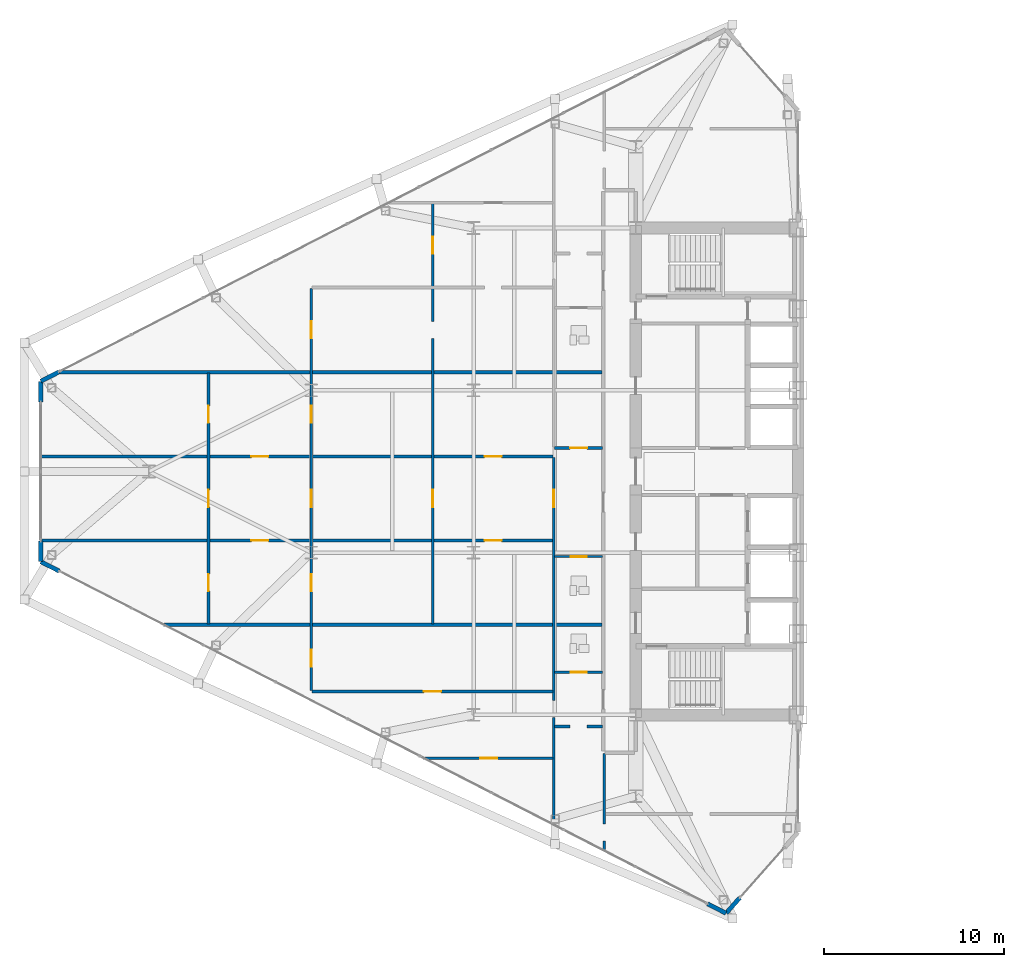
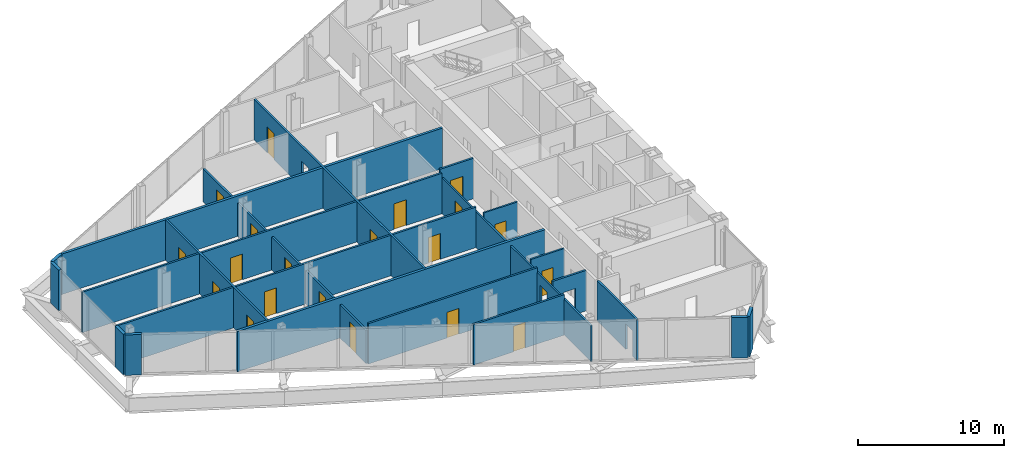
# One storey, part 19 of 28: 21 walls, 20 doors, 24 openings.
"""IFC4 building model written with IfcOpenShell, lengths in metres."""

from ifc_helpers import new_model, si_unit, direction, frame, frame_2d, origin, place, context, subcontext, project, spatial, rectangle, extrude, source, transform, mapped, material, layer, layer_set, type_object, type_shapes, element, fill, save


model = new_model("IFC4")

# Units and contexts
model_context = context("Model", 3, precision=1e-05, world=origin(), true_north=direction((0.0, 1.0)))
body_context = subcontext(model_context, "Body", "Model", "MODEL_VIEW")
ifc_project = project(units=[si_unit("LENGTHUNIT", "METRE"), si_unit("AREAUNIT", "SQUARE_METRE"), si_unit("VOLUMEUNIT", "CUBIC_METRE"), si_unit("PLANEANGLEUNIT", "RADIAN"), si_unit("MASSUNIT", "GRAM", prefix="KILO")], contexts=[model_context])

# Site, building, storey
site_placement = place(None, origin())
site = spatial("IfcSite", under=ifc_project, at=site_placement, CompositionType="ELEMENT")
building_placement = place(site_placement, origin())
building = spatial("IfcBuilding", under=site, at=building_placement, Name="Seokmaru Belvedere", CompositionType="ELEMENT")
storey_placement = place(building_placement, frame((0.0, 0.0, 110.39990234375)))
storey = spatial("IfcBuildingStorey", under=building, at=storey_placement, Name="L29", CompositionType="ELEMENT", Elevation=110.39990234375)

# Wall, opening, door
ifc_material_1 = material(Name="Fire-Rated Gypsum Shaftwall")
ifc_layer_1 = layer(ifc_material_1, 0.14990234375)
ifc_layer_set_1 = layer_set([ifc_layer_1], Name="Fire-Rated Gypsum Shaftwall")
wall_type_1 = type_object("IfcWallType", Name="Apartment Fire-Acoustic Room Partition 150", PredefinedType="PARTITIONING", material=ifc_layer_set_1)
wall_1_placement = place(storey_placement, frame((-48.294921875, -15.89990234375, 0.0), z_axis=(0.0, 0.0, 1.0), x_axis=(1.0, 0.0, 0.0)))
wall_1 = element("IfcWall", 1, at=wall_1_placement, inside=storey, type_object=wall_type_1, Name="L29 Interior Partition 003", PredefinedType="PARTITIONING", context=body_context, shape_type="SweptSolid", body=[
    extrude(rectangle(XDim=7.19482421875, YDim=0.14990234375, at=frame_2d((3.597412109375, 0.0))), origin(), (0.0, 0.0, 1.0), 3.380126953125),
])
opening_1_placement = place(wall_1_placement, frame((3.1650390625, 0.0, 0.0)))
opening_1 = element("IfcOpeningElement", 2, at=opening_1_placement, cuts=wall_1, Name="Opening D05", PredefinedType="OPENING", context=body_context, shape_type="SweptSolid", body=[
    extrude(rectangle(XDim=0.949951171875, YDim=2.14990234375, at=frame_2d((0.47509765625, 1.074951171875))), frame((0.0, 0.0849609375, 0.0), z_axis=(0.0, -1.0, 0.0), x_axis=(1.0, 0.0, 0.0)), (0.0, 0.0, 1.0), 0.169921875),
])
ifc_material_2 = material(Name="Engineered White Oak Timber", Category="wood")
door_type_1 = type_object("IfcDoorType", Name="Apartment Interior Fire-Rated Oak Door 950x2150", OperationType="NOTDEFINED", PredefinedType="DOOR", material=ifc_material_2)
shared_shape_1 = source(origin(), body_context, "Body", "SweptSolid", [
    extrude(rectangle(XDim=0.949951171875, YDim=2.14990234375, at=frame_2d((0.47509765625, 1.074951171875))), frame((0.0, 0.02490234375, 0.0), z_axis=(0.0, -1.0, 0.0), x_axis=(1.0, 0.0, 0.0)), (0.0, 0.0, 1.0), 0.050048828125),
])
type_shapes(door_type_1, [shared_shape_1])
door_1_placement = place(opening_1_placement, origin())
door_1 = element("IfcDoor", 3, at=door_1_placement, inside=storey, type_object=door_type_1, Name="L29 Interior Door 005", OperationType="SINGLE_SWING_LEFT", OverallHeight=2.14990234375, OverallWidth=0.949951171875, PredefinedType="DOOR", context=body_context, shape_type="MappedRepresentation", body=[
    mapped(shared_shape_1, transform((0.0, 0.0, 0.0), scale=1.0)),
])
fill(opening_1, door_1)

# Wall, opening
wall_2_placement = place(storey_placement, frame((-41.0, -14.139892578125, 0.0), z_axis=(0.0, 0.0, 1.0), x_axis=(1.0, 0.0, 0.0)))
wall_2 = element("IfcWall", 4, at=wall_2_placement, inside=storey, type_object=wall_type_1, Name="L29 Interior Partition 007", PredefinedType="PARTITIONING", context=body_context, shape_type="SweptSolid", body=[
    extrude(rectangle(XDim=2.64990234375, YDim=0.14990234375, at=frame_2d((1.324951171875, 0.0))), origin(), (0.0, 0.0, 1.0), 3.380126953125),
])
opening_2_placement = place(wall_2_placement, frame((0.85009765625, 0.0, 0.0)))
element("IfcOpeningElement", 5, at=opening_2_placement, cuts=wall_2, Name="L29 Cased Opening 003", PredefinedType="OPENING", context=body_context, shape_type="SweptSolid", body=[
    extrude(rectangle(XDim=0.949951171875, YDim=2.14990234375, at=frame_2d((0.47509765625, 1.074951171875))), frame((0.0, 0.0849609375, 0.0), z_axis=(0.0, -1.0, 0.0), x_axis=(1.0, 0.0, 0.0)), (0.0, 0.0, 1.0), 0.169921875),
])

# Wall, opening, door
wall_3_placement = place(storey_placement, frame((-54.449951171875, -12.199951171875, 0.0), z_axis=(0.0, 0.0, 1.0), x_axis=(1.0, 0.0, 0.0)))
wall_3 = element("IfcWall", 6, at=wall_3_placement, inside=storey, type_object=wall_type_1, Name="L29 Interior Partition 009", PredefinedType="PARTITIONING", context=body_context, shape_type="SweptSolid", body=[
    extrude(rectangle(XDim=13.349853515625, YDim=0.14990234375, at=frame_2d((6.6748046875, 0.0))), origin(), (0.0, 0.0, 1.0), 3.380126953125),
])
opening_3_placement = place(wall_3_placement, frame((6.199951171875, 0.0, 0.0)))
opening_3 = element("IfcOpeningElement", 7, at=opening_3_placement, cuts=wall_3, Name="Opening D05", PredefinedType="OPENING", context=body_context, shape_type="SweptSolid", body=[
    extrude(rectangle(XDim=0.949951171875, YDim=2.14990234375, at=frame_2d((0.47509765625, 1.074951171875))), frame((0.0, 0.0849609375, 0.0), z_axis=(0.0, -1.0, 0.0), x_axis=(1.0, 0.0, 0.0)), (0.0, 0.0, 1.0), 0.169921875),
])
door_2_placement = place(opening_3_placement, origin())
door_2 = element("IfcDoor", 8, at=door_2_placement, inside=storey, type_object=door_type_1, Name="L29 Interior Door 006", OperationType="SINGLE_SWING_RIGHT", OverallHeight=2.14990234375, OverallWidth=0.949951171875, PredefinedType="DOOR", context=body_context, shape_type="MappedRepresentation", body=[
    mapped(shared_shape_1, transform((0.0, 0.0, 0.0), scale=1.0)),
])
fill(opening_3, door_2)

# Wall, openings, doors
wall_4_placement = place(storey_placement, frame((-69.534912109375, -3.830078125, 0.0), z_axis=(0.0, 0.0, 1.0), x_axis=(1.0, 0.0, 0.0)))
wall_4 = element("IfcWall", 9, at=wall_4_placement, inside=storey, type_object=wall_type_1, Name="L29 Interior Partition 016", PredefinedType="PARTITIONING", context=body_context, shape_type="SweptSolid", body=[
    extrude(rectangle(XDim=28.434814453125, YDim=0.14990234375, at=frame_2d((14.21728515625, 0.0))), origin(), (0.0, 0.0, 1.0), 3.380126953125),
])
opening_4_placement = place(wall_4_placement, frame((24.6474609375, 0.0, 0.0)))
opening_4 = element("IfcOpeningElement", 10, at=opening_4_placement, cuts=wall_4, Name="Opening D05", PredefinedType="OPENING", context=body_context, shape_type="SweptSolid", body=[
    extrude(rectangle(XDim=0.949951171875, YDim=2.14990234375, at=frame_2d((0.47509765625, 1.074951171875))), frame((0.0, 0.0849609375, 0.0), z_axis=(0.0, -1.0, 0.0), x_axis=(1.0, 0.0, 0.0)), (0.0, 0.0, 1.0), 0.169921875),
])
opening_5_placement = place(wall_4_placement, frame((11.7099609375, 0.0, 0.0)))
opening_5 = element("IfcOpeningElement", 11, at=opening_5_placement, cuts=wall_4, Name="Opening D05", PredefinedType="OPENING", context=body_context, shape_type="SweptSolid", body=[
    extrude(rectangle(XDim=0.949951171875, YDim=2.14990234375, at=frame_2d((0.47509765625, 1.074951171875))), frame((0.0, 0.0849609375, 0.0), z_axis=(0.0, -1.0, 0.0), x_axis=(1.0, 0.0, 0.0)), (0.0, 0.0, 1.0), 0.169921875),
])
door_3_placement = place(opening_4_placement, origin())
door_3 = element("IfcDoor", 12, at=door_3_placement, inside=storey, type_object=door_type_1, Name="L29 Interior Door 014", OperationType="SINGLE_SWING_LEFT", OverallHeight=2.14990234375, OverallWidth=0.949951171875, PredefinedType="DOOR", context=body_context, shape_type="MappedRepresentation", body=[
    mapped(shared_shape_1, transform((0.0, 0.0, 0.0), scale=1.0)),
])
fill(opening_4, door_3)
door_4_placement = place(opening_5_placement, origin())
door_4 = element("IfcDoor", 13, at=door_4_placement, inside=storey, type_object=door_type_1, Name="L29 Interior Door 018", OperationType="SINGLE_SWING_LEFT", OverallHeight=2.14990234375, OverallWidth=0.949951171875, PredefinedType="DOOR", context=body_context, shape_type="MappedRepresentation", body=[
    mapped(shared_shape_1, transform((0.0, 0.0, 0.0), scale=1.0)),
])
fill(opening_5, door_4)

wall_5_placement = place(storey_placement, frame((-69.534912109375, 0.830078125, 0.0), z_axis=(0.0, 0.0, 1.0), x_axis=(1.0, 0.0, 0.0)))
wall_5 = element("IfcWall", 14, at=wall_5_placement, inside=storey, type_object=wall_type_1, Name="L29 Interior Partition 019", PredefinedType="PARTITIONING", context=body_context, shape_type="SweptSolid", body=[
    extrude(rectangle(XDim=28.434814453125, YDim=0.14990234375, at=frame_2d((14.21728515625, 0.0))), origin(), (0.0, 0.0, 1.0), 3.380126953125),
])
opening_6_placement = place(wall_5_placement, frame((24.6474609375, 0.0, 0.0)))
opening_6 = element("IfcOpeningElement", 15, at=opening_6_placement, cuts=wall_5, Name="Opening D05", PredefinedType="OPENING", context=body_context, shape_type="SweptSolid", body=[
    extrude(rectangle(XDim=0.949951171875, YDim=2.14990234375, at=frame_2d((0.47509765625, 1.074951171875))), frame((0.0, 0.0849609375, 0.0), z_axis=(0.0, -1.0, 0.0), x_axis=(1.0, 0.0, 0.0)), (0.0, 0.0, 1.0), 0.169921875),
])
opening_7_placement = place(wall_5_placement, frame((11.7099609375, 0.0, 0.0)))
opening_7 = element("IfcOpeningElement", 16, at=opening_7_placement, cuts=wall_5, Name="Opening D05", PredefinedType="OPENING", context=body_context, shape_type="SweptSolid", body=[
    extrude(rectangle(XDim=0.949951171875, YDim=2.14990234375, at=frame_2d((0.47509765625, 1.074951171875))), frame((0.0, 0.0849609375, 0.0), z_axis=(0.0, -1.0, 0.0), x_axis=(1.0, 0.0, 0.0)), (0.0, 0.0, 1.0), 0.169921875),
])
door_5_placement = place(opening_6_placement, origin())
door_5 = element("IfcDoor", 17, at=door_5_placement, inside=storey, type_object=door_type_1, Name="L29 Interior Door 016", OperationType="SINGLE_SWING_RIGHT", OverallHeight=2.14990234375, OverallWidth=0.949951171875, PredefinedType="DOOR", context=body_context, shape_type="MappedRepresentation", body=[
    mapped(shared_shape_1, transform((0.0, 0.0, 0.0), scale=1.0)),
])
fill(opening_6, door_5)
door_6_placement = place(opening_7_placement, origin())
door_6 = element("IfcDoor", 18, at=door_6_placement, inside=storey, type_object=door_type_1, Name="L29 Interior Door 021", OperationType="SINGLE_SWING_LEFT", OverallHeight=2.14990234375, OverallWidth=0.949951171875, PredefinedType="DOOR", context=body_context, shape_type="MappedRepresentation", body=[
    mapped(shared_shape_1, transform((0.0, 0.0, 0.0), scale=1.0)),
])
fill(opening_7, door_6)

# Wall, opening, door
wall_6_placement = place(storey_placement, frame((-41.0, 1.300048828125, 0.0), z_axis=(0.0, 0.0, 1.0), x_axis=(1.0, 0.0, 0.0)))
wall_6 = element("IfcWall", 19, at=wall_6_placement, inside=storey, type_object=wall_type_1, Name="L29 Interior Partition 020", PredefinedType="PARTITIONING", context=body_context, shape_type="SweptSolid", body=[
    extrude(rectangle(XDim=2.64990234375, YDim=0.14990234375, at=frame_2d((1.324951171875, 0.0))), origin(), (0.0, 0.0, 1.0), 3.380126953125),
])
opening_8_placement = place(wall_6_placement, frame((0.85009765625, 0.0, 0.0)))
opening_8 = element("IfcOpeningElement", 20, at=opening_8_placement, cuts=wall_6, Name="Opening D05", PredefinedType="OPENING", context=body_context, shape_type="SweptSolid", body=[
    extrude(rectangle(XDim=0.949951171875, YDim=2.14990234375, at=frame_2d((0.47509765625, 1.074951171875))), frame((0.0, 0.0849609375, 0.0), z_axis=(0.0, -1.0, 0.0), x_axis=(1.0, 0.0, 0.0)), (0.0, 0.0, 1.0), 0.169921875),
])
door_7_placement = place(opening_8_placement, origin())
door_7 = element("IfcDoor", 21, at=door_7_placement, inside=storey, type_object=door_type_1, Name="L29 Interior Door 012", OperationType="SINGLE_SWING_LEFT", OverallHeight=2.14990234375, OverallWidth=0.949951171875, PredefinedType="DOOR", context=body_context, shape_type="MappedRepresentation", body=[
    mapped(shared_shape_1, transform((0.0, 0.0, 0.0), scale=1.0)),
])
fill(opening_8, door_7)

# Wall, openings, doors
wall_7_placement = place(storey_placement, frame((-60.199951171875, -8.449951171875, 0.0), z_axis=(0.0, 0.0, 1.0), x_axis=(0.0, 1.0, 0.0)))
wall_7 = element("IfcWall", 22, at=wall_7_placement, inside=storey, type_object=wall_type_1, Name="L29 Interior Partition 037", PredefinedType="PARTITIONING", context=body_context, shape_type="SweptSolid", body=[
    extrude(rectangle(XDim=13.89990234375, YDim=0.14990234375, at=frame_2d((6.949951171875, 0.0))), origin(), (0.0, 0.0, 1.0), 3.380126953125),
])
opening_9_placement = place(wall_7_placement, frame((1.808349609375, 0.0, 0.0)))
opening_9 = element("IfcOpeningElement", 23, at=opening_9_placement, cuts=wall_7, Name="Opening D05", PredefinedType="OPENING", context=body_context, shape_type="SweptSolid", body=[
    extrude(rectangle(XDim=0.949951171875, YDim=2.14990234375, at=frame_2d((0.47509765625, 1.074951171875))), frame((0.0, 0.0849609375, 0.0), z_axis=(0.0, -1.0, 0.0), x_axis=(1.0, 0.0, 0.0)), (0.0, 0.0, 1.0), 0.169921875),
])
opening_10_placement = place(wall_7_placement, frame((6.47509765625, 0.0, 0.0)))
opening_10 = element("IfcOpeningElement", 24, at=opening_10_placement, cuts=wall_7, Name="Opening D05", PredefinedType="OPENING", context=body_context, shape_type="SweptSolid", body=[
    extrude(rectangle(XDim=0.949951171875, YDim=2.14990234375, at=frame_2d((0.47509765625, 1.074951171875))), frame((0.0, 0.0849609375, 0.0), z_axis=(0.0, -1.0, 0.0), x_axis=(1.0, 0.0, 0.0)), (0.0, 0.0, 1.0), 0.169921875),
])
opening_11_placement = place(wall_7_placement, frame((11.1416015625, 0.0, 0.0)))
opening_11 = element("IfcOpeningElement", 25, at=opening_11_placement, cuts=wall_7, Name="Opening D05", PredefinedType="OPENING", context=body_context, shape_type="SweptSolid", body=[
    extrude(rectangle(XDim=0.949951171875, YDim=2.14990234375, at=frame_2d((0.47509765625, 1.074951171875))), frame((0.0, 0.0849609375, 0.0), z_axis=(0.0, -1.0, 0.0), x_axis=(1.0, 0.0, 0.0)), (0.0, 0.0, 1.0), 0.169921875),
])
door_8_placement = place(opening_9_placement, origin())
door_8 = element("IfcDoor", 26, at=door_8_placement, inside=storey, type_object=door_type_1, Name="L29 Interior Door 019", OperationType="SINGLE_SWING_RIGHT", OverallHeight=2.14990234375, OverallWidth=0.949951171875, PredefinedType="DOOR", context=body_context, shape_type="MappedRepresentation", body=[
    mapped(shared_shape_1, transform((0.0, 0.0, 0.0), scale=1.0)),
])
fill(opening_9, door_8)
door_9_placement = place(opening_10_placement, origin())
door_9 = element("IfcDoor", 27, at=door_9_placement, inside=storey, type_object=door_type_1, Name="L29 Interior Door 020", OperationType="SINGLE_SWING_RIGHT", OverallHeight=2.14990234375, OverallWidth=0.949951171875, PredefinedType="DOOR", context=body_context, shape_type="MappedRepresentation", body=[
    mapped(shared_shape_1, transform((0.0, 0.0, 0.0), scale=1.0)),
])
fill(opening_10, door_9)
door_10_placement = place(opening_11_placement, origin())
door_10 = element("IfcDoor", 28, at=door_10_placement, inside=storey, type_object=door_type_1, Name="L29 Interior Door 022", OperationType="SINGLE_SWING_RIGHT", OverallHeight=2.14990234375, OverallWidth=0.949951171875, PredefinedType="DOOR", context=body_context, shape_type="MappedRepresentation", body=[
    mapped(shared_shape_1, transform((0.0, 0.0, 0.0), scale=1.0)),
])
fill(opening_11, door_10)

wall_8_placement = place(storey_placement, frame((-54.5, -12.14990234375, 0.0), z_axis=(0.0, 0.0, 1.0), x_axis=(0.0, 1.0, 0.0)))
wall_8 = element("IfcWall", 29, at=wall_8_placement, inside=storey, type_object=wall_type_1, Name="L29 Interior Partition 038", PredefinedType="PARTITIONING", context=body_context, shape_type="SweptSolid", body=[
    extrude(rectangle(XDim=22.2998046875, YDim=0.14990234375, at=frame_2d((11.14990234375, 0.0))), origin(), (0.0, 0.0, 1.0), 2.780029296875),
])
opening_12_placement = place(wall_8_placement, frame((1.3251953125, 0.0, 0.0)))
opening_12 = element("IfcOpeningElement", 30, at=opening_12_placement, cuts=wall_8, Name="Opening D05", PredefinedType="OPENING", context=body_context, shape_type="SweptSolid", body=[
    extrude(rectangle(XDim=0.949951171875, YDim=2.14990234375, at=frame_2d((0.47509765625, 1.074951171875))), frame((0.0, 0.0849609375, 0.0), z_axis=(0.0, -1.0, 0.0), x_axis=(1.0, 0.0, 0.0)), (0.0, 0.0, 1.0), 0.169921875),
])
opening_13_placement = place(wall_8_placement, frame((10.175048828125, 0.0, 0.0)))
opening_13 = element("IfcOpeningElement", 31, at=opening_13_placement, cuts=wall_8, Name="Opening D05", PredefinedType="OPENING", context=body_context, shape_type="SweptSolid", body=[
    extrude(rectangle(XDim=0.949951171875, YDim=2.14990234375, at=frame_2d((0.47509765625, 1.074951171875))), frame((0.0, 0.0849609375, 0.0), z_axis=(0.0, -1.0, 0.0), x_axis=(1.0, 0.0, 0.0)), (0.0, 0.0, 1.0), 0.169921875),
])
opening_14_placement = place(wall_8_placement, frame((5.50830078125, 0.0, 0.0)))
opening_14 = element("IfcOpeningElement", 32, at=opening_14_placement, cuts=wall_8, Name="Opening D05", PredefinedType="OPENING", context=body_context, shape_type="SweptSolid", body=[
    extrude(rectangle(XDim=0.949951171875, YDim=2.14990234375, at=frame_2d((0.47509765625, 1.074951171875))), frame((0.0, 0.0849609375, 0.0), z_axis=(0.0, -1.0, 0.0), x_axis=(1.0, 0.0, 0.0)), (0.0, 0.0, 1.0), 0.169921875),
])
opening_15_placement = place(wall_8_placement, frame((14.841552734375, 0.0, 0.0)))
opening_15 = element("IfcOpeningElement", 33, at=opening_15_placement, cuts=wall_8, Name="Opening D05", PredefinedType="OPENING", context=body_context, shape_type="SweptSolid", body=[
    extrude(rectangle(XDim=0.949951171875, YDim=2.14990234375, at=frame_2d((0.47509765625, 1.074951171875))), frame((0.0, 0.0849609375, 0.0), z_axis=(0.0, -1.0, 0.0), x_axis=(1.0, 0.0, 0.0)), (0.0, 0.0, 1.0), 0.169921875),
])
opening_16_placement = place(wall_8_placement, frame((19.52490234375, 0.0, 0.0)))
opening_16 = element("IfcOpeningElement", 34, at=opening_16_placement, cuts=wall_8, Name="Opening D05", PredefinedType="OPENING", context=body_context, shape_type="SweptSolid", body=[
    extrude(rectangle(XDim=0.949951171875, YDim=2.14990234375, at=frame_2d((0.47509765625, 1.074951171875))), frame((0.0, 0.0849609375, 0.0), z_axis=(0.0, -1.0, 0.0), x_axis=(1.0, 0.0, 0.0)), (0.0, 0.0, 1.0), 0.169921875),
])
door_11_placement = place(opening_12_placement, origin())
door_11 = element("IfcDoor", 35, at=door_11_placement, inside=storey, type_object=door_type_1, Name="L29 Interior Door 009", OperationType="SINGLE_SWING_LEFT", OverallHeight=2.14990234375, OverallWidth=0.949951171875, PredefinedType="DOOR", context=body_context, shape_type="MappedRepresentation", body=[
    mapped(shared_shape_1, transform((0.0, 0.0, 0.0), scale=1.0)),
])
fill(opening_12, door_11)
door_12_placement = place(opening_13_placement, origin())
door_12 = element("IfcDoor", 36, at=door_12_placement, inside=storey, type_object=door_type_1, Name="L29 Interior Door 017", OperationType="SINGLE_SWING_RIGHT", OverallHeight=2.14990234375, OverallWidth=0.949951171875, PredefinedType="DOOR", context=body_context, shape_type="MappedRepresentation", body=[
    mapped(shared_shape_1, transform((0.0, 0.0, 0.0), scale=1.0)),
])
fill(opening_13, door_12)
door_13_placement = place(opening_14_placement, origin())
door_13 = element("IfcDoor", 37, at=door_13_placement, inside=storey, type_object=door_type_1, Name="L29 Interior Door 023", OperationType="SINGLE_SWING_RIGHT", OverallHeight=2.14990234375, OverallWidth=0.949951171875, PredefinedType="DOOR", context=body_context, shape_type="MappedRepresentation", body=[
    mapped(shared_shape_1, transform((0.0, 0.0, 0.0), scale=1.0)),
])
fill(opening_14, door_13)
door_14_placement = place(opening_15_placement, origin())
door_14 = element("IfcDoor", 38, at=door_14_placement, inside=storey, type_object=door_type_1, Name="L29 Interior Door 024", OperationType="SINGLE_SWING_LEFT", OverallHeight=2.14990234375, OverallWidth=0.949951171875, PredefinedType="DOOR", context=body_context, shape_type="MappedRepresentation", body=[
    mapped(shared_shape_1, transform((0.0, 0.0, 0.0), scale=1.0)),
])
fill(opening_15, door_14)
door_15_placement = place(opening_16_placement, origin())
door_15 = element("IfcDoor", 39, at=door_15_placement, inside=storey, type_object=door_type_1, Name="L29 Interior Door 033", OperationType="SINGLE_SWING_RIGHT", OverallHeight=2.14990234375, OverallWidth=0.949951171875, PredefinedType="DOOR", context=body_context, shape_type="MappedRepresentation", body=[
    mapped(shared_shape_1, transform((0.0, 0.0, 0.0), scale=1.0)),
])
fill(opening_16, door_15)

wall_9_placement = place(storey_placement, frame((-47.77001953125, -8.449951171875, 0.0), z_axis=(0.0, 0.0, 1.0), x_axis=(0.0, 1.0, 0.0)))
wall_9 = element("IfcWall", 40, at=wall_9_placement, inside=storey, type_object=wall_type_1, Name="L29 Interior Partition 039", PredefinedType="PARTITIONING", context=body_context, shape_type="SweptSolid", body=[
    extrude(rectangle(XDim=23.300048828125, YDim=0.14990234375, at=frame_2d((11.64990234375, 0.0))), origin(), (0.0, 0.0, 1.0), 3.380126953125),
])
opening_17_placement = place(wall_9_placement, frame((6.47509765625, 0.0, 0.0)))
opening_17 = element("IfcOpeningElement", 41, at=opening_17_placement, cuts=wall_9, Name="Opening D05", PredefinedType="OPENING", context=body_context, shape_type="SweptSolid", body=[
    extrude(rectangle(XDim=0.949951171875, YDim=2.14990234375, at=frame_2d((0.47509765625, 1.074951171875))), frame((0.0, 0.0849609375, 0.0), z_axis=(0.0, -1.0, 0.0), x_axis=(1.0, 0.0, 0.0)), (0.0, 0.0, 1.0), 0.169921875),
])
opening_18_placement = place(wall_9_placement, frame((20.524658203125, 0.0, 0.0)))
opening_18 = element("IfcOpeningElement", 42, at=opening_18_placement, cuts=wall_9, Name="Opening D05", PredefinedType="OPENING", context=body_context, shape_type="SweptSolid", body=[
    extrude(rectangle(XDim=0.949951171875, YDim=2.14990234375, at=frame_2d((0.47509765625, 1.074951171875))), frame((0.0, 0.0849609375, 0.0), z_axis=(0.0, -1.0, 0.0), x_axis=(1.0, 0.0, 0.0)), (0.0, 0.0, 1.0), 0.169921875),
])
opening_19_placement = place(wall_9_placement, frame((15.824951171875, 0.0, 0.0)))
element("IfcOpeningElement", 43, at=opening_19_placement, cuts=wall_9, Name="L29 Cased Opening 032", PredefinedType="OPENING", context=body_context, shape_type="SweptSolid", body=[
    extrude(rectangle(XDim=0.949951171875, YDim=2.14990234375, at=frame_2d((0.47509765625, 1.074951171875))), frame((0.0, 0.0849609375, 0.0), z_axis=(0.0, -1.0, 0.0), x_axis=(1.0, 0.0, 0.0)), (0.0, 0.0, 1.0), 0.169921875),
])
door_16_placement = place(opening_17_placement, origin())
door_16 = element("IfcDoor", 44, at=door_16_placement, inside=storey, type_object=door_type_1, Name="L29 Interior Door 015", OperationType="SINGLE_SWING_RIGHT", OverallHeight=2.14990234375, OverallWidth=0.949951171875, PredefinedType="DOOR", context=body_context, shape_type="MappedRepresentation", body=[
    mapped(shared_shape_1, transform((0.0, 0.0, 0.0), scale=1.0)),
])
fill(opening_17, door_16)
door_17_placement = place(opening_18_placement, origin())
door_17 = element("IfcDoor", 45, at=door_17_placement, inside=storey, type_object=door_type_1, Name="L29 Interior Door 030", OperationType="SINGLE_SWING_LEFT", OverallHeight=2.14990234375, OverallWidth=0.949951171875, PredefinedType="DOOR", context=body_context, shape_type="MappedRepresentation", body=[
    mapped(shared_shape_1, transform((0.0, 0.0, 0.0), scale=1.0)),
])
fill(opening_18, door_17)

# Wall, opening
wall_10_placement = place(storey_placement, frame((-38.25, -21.071044921875, 0.0), z_axis=(0.0, 0.0, 1.0), x_axis=(0.0, 1.0, 0.0)))
wall_10 = element("IfcWall", 46, at=wall_10_placement, inside=storey, type_object=wall_type_1, Name="L29 Interior Partition 043", PredefinedType="PARTITIONING", context=body_context, shape_type="SweptSolid", body=[
    extrude(rectangle(XDim=5.421142578125, YDim=0.14990234375, at=frame_2d((2.71044921875, 0.0))), origin(), (0.0, 0.0, 1.0), 3.380126953125),
])
opening_20_placement = place(wall_10_placement, frame((0.577880859375, 0.0, 0.0)))
element("IfcOpeningElement", 47, at=opening_20_placement, cuts=wall_10, Name="L29 Cased Opening 007", PredefinedType="OPENING", context=body_context, shape_type="SweptSolid", body=[
    extrude(rectangle(XDim=0.949951171875, YDim=2.14990234375, at=frame_2d((0.47509765625, 1.074951171875))), frame((0.0, 0.0849609375, 0.0), z_axis=(0.0, -1.0, 0.0), x_axis=(1.0, 0.0, 0.0)), (0.0, 0.0, 1.0), 0.169921875),
])

# Walls
ifc_layer_2 = layer(ifc_material_1, 0.199951171875)
ifc_layer_set_2 = layer_set([ifc_layer_2], Name="Fire-Rated Gypsum Shaftwall")
wall_type_2 = type_object("IfcWallType", Name="Inter-Tenancy Fire Compartment Partition 200", PredefinedType="PARTITIONING", material=ifc_layer_set_2)
wall_11_placement = place(storey_placement, frame((-62.68994140625, -8.5, 0.0), z_axis=(0.0, 0.0, 1.0), x_axis=(1.0, 0.0, 0.0)))
element("IfcWall", 48, at=wall_11_placement, inside=storey, type_object=wall_type_2, Name="L29 Interior Partition 013", PredefinedType="PARTITIONING", context=body_context, shape_type="SweptSolid", body=[
    extrude(rectangle(XDim=24.31005859375, YDim=0.199951171875, at=frame_2d((12.155029296875, 0.0))), origin(), (0.0, 0.0, 1.0), 3.380126953125),
])
wall_12_placement = place(storey_placement, frame((-68.45849609375, 5.5, 0.0), z_axis=(0.0, 0.0, 1.0), x_axis=(1.0, 0.0, 0.0)))
element("IfcWall", 49, at=wall_12_placement, inside=storey, type_object=wall_type_2, Name="L29 Interior Partition 023", PredefinedType="PARTITIONING", context=body_context, shape_type="SweptSolid", body=[
    extrude(rectangle(XDim=30.07861328125, YDim=0.199951171875, at=frame_2d((15.039306640625, 0.0))), origin(), (0.0, 0.0, 1.0), 3.380126953125),
])

# Wall, opening, door
ifc_layer_3 = layer(ifc_material_1, 0.1298828125)
ifc_layer_set_3 = layer_set([ifc_layer_3], Name="Fire-Rated Gypsum Shaftwall")
wall_type_3 = type_object("IfcWallType", Name="Moisture-Resistant Fire-Rated Bathroom Partition 130", PredefinedType="PARTITIONING", material=ifc_layer_set_3)
wall_13_placement = place(storey_placement, frame((-41.0, -11.139892578125, 0.0), z_axis=(0.0, 0.0, 1.0), x_axis=(1.0, 0.0, 0.0)))
wall_13 = element("IfcWall", 50, at=wall_13_placement, inside=storey, type_object=wall_type_3, Name="L29 Interior Partition 010", PredefinedType="PARTITIONING", context=body_context, shape_type="SweptSolid", body=[
    extrude(rectangle(XDim=2.64990234375, YDim=0.1298828125, at=frame_2d((1.324951171875, 0.0))), origin(), (0.0, 0.0, 1.0), 3.380126953125),
])
opening_21_placement = place(wall_13_placement, frame((0.885009765625, 0.0, 0.0)))
opening_21 = element("IfcOpeningElement", 51, at=opening_21_placement, cuts=wall_13, Name="Opening D06", PredefinedType="OPENING", context=body_context, shape_type="SweptSolid", body=[
    extrude(rectangle(XDim=0.8798828125, YDim=2.10009765625, at=frame_2d((0.43994140625, 1.050048828125))), frame((0.0, 0.074951171875, 0.0), z_axis=(0.0, -1.0, 0.0), x_axis=(1.0, 0.0, 0.0)), (0.0, 0.0, 1.0), 0.14990234375),
])
door_type_2 = type_object("IfcDoorType", Name="Bathroom and Restroom Fire-Rated Door 880x2100", OperationType="NOTDEFINED", PredefinedType="DOOR", material=ifc_material_2)
shared_shape_2 = source(origin(), body_context, "Body", "SweptSolid", [
    extrude(rectangle(XDim=0.8798828125, YDim=2.10009765625, at=frame_2d((0.43994140625, 1.050048828125))), frame((0.0, 0.02490234375, 0.0), z_axis=(0.0, -1.0, 0.0), x_axis=(1.0, 0.0, 0.0)), (0.0, 0.0, 1.0), 0.050048828125),
])
type_shapes(door_type_2, [shared_shape_2])
door_18_placement = place(opening_21_placement, origin())
door_18 = element("IfcDoor", 52, at=door_18_placement, inside=storey, type_object=door_type_2, Name="L29 Interior Door 002", OperationType="SINGLE_SWING_LEFT", OverallHeight=2.10009765625, OverallWidth=0.8798828125, PredefinedType="DOOR", context=body_context, shape_type="MappedRepresentation", body=[
    mapped(shared_shape_2, transform((0.0, 0.0, 0.0), scale=1.0)),
])
fill(opening_21, door_18)

wall_14_placement = place(storey_placement, frame((-41.0, -4.719970703125, 0.0), z_axis=(0.0, 0.0, 1.0), x_axis=(1.0, 0.0, 0.0)))
wall_14 = element("IfcWall", 53, at=wall_14_placement, inside=storey, type_object=wall_type_3, Name="L29 Interior Partition 015", PredefinedType="PARTITIONING", context=body_context, shape_type="SweptSolid", body=[
    extrude(rectangle(XDim=2.64990234375, YDim=0.1298828125, at=frame_2d((1.324951171875, 0.0))), origin(), (0.0, 0.0, 1.0), 3.380126953125),
])
opening_22_placement = place(wall_14_placement, frame((0.885009765625, 0.0, 0.0)))
opening_22 = element("IfcOpeningElement", 54, at=opening_22_placement, cuts=wall_14, Name="Opening D06", PredefinedType="OPENING", context=body_context, shape_type="SweptSolid", body=[
    extrude(rectangle(XDim=0.8798828125, YDim=2.10009765625, at=frame_2d((0.43994140625, 1.050048828125))), frame((0.0, 0.074951171875, 0.0), z_axis=(0.0, -1.0, 0.0), x_axis=(1.0, 0.0, 0.0)), (0.0, 0.0, 1.0), 0.14990234375),
])
door_19_placement = place(opening_22_placement, origin())
door_19 = element("IfcDoor", 55, at=door_19_placement, inside=storey, type_object=door_type_2, Name="L29 Interior Door 011", OperationType="SINGLE_SWING_LEFT", OverallHeight=2.10009765625, OverallWidth=0.8798828125, PredefinedType="DOOR", context=body_context, shape_type="MappedRepresentation", body=[
    mapped(shared_shape_2, transform((0.0, 0.0, 0.0), scale=1.0)),
])
fill(opening_22, door_19)

# Wall, openings, door
wall_15_placement = place(storey_placement, frame((-41.050048828125, -19.634033203125, 0.0), z_axis=(0.0, 0.0, 1.0), x_axis=(0.0, 1.0, 0.0)))
wall_15 = element("IfcWall", 56, at=wall_15_placement, inside=storey, type_object=wall_type_3, Name="L29 Interior Partition 040", PredefinedType="PARTITIONING", context=body_context, shape_type="SweptSolid", body=[
    extrude(rectangle(XDim=20.4169921875, YDim=0.1298828125, at=frame_2d((10.20849609375, 0.0))), origin(), (0.0, 0.0, 1.0), 2.989990234375),
])
opening_23_placement = place(wall_15_placement, frame((5.986572265625, 0.0, 0.0)))
element("IfcOpeningElement", 57, at=opening_23_placement, cuts=wall_15, Name="L29 Cased Opening 004", PredefinedType="OPENING", context=body_context, shape_type="SweptSolid", body=[
    extrude(rectangle(XDim=0.949951171875, YDim=2.14990234375, at=frame_2d((0.47509765625, 1.074951171875))), frame((0.0, 0.074951171875, 0.0), z_axis=(0.0, -1.0, 0.0), x_axis=(1.0, 0.0, 0.0)), (0.0, 0.0, 1.0), 0.14990234375),
])
opening_24_placement = place(wall_15_placement, frame((17.658935546875, 0.0, 0.0)))
opening_24 = element("IfcOpeningElement", 58, at=opening_24_placement, cuts=wall_15, Name="Opening D05", PredefinedType="OPENING", context=body_context, shape_type="SweptSolid", body=[
    extrude(rectangle(XDim=0.949951171875, YDim=2.14990234375, at=frame_2d((0.47509765625, 1.074951171875))), frame((0.0, 0.074951171875, 0.0), z_axis=(0.0, -1.0, 0.0), x_axis=(1.0, 0.0, 0.0)), (0.0, 0.0, 1.0), 0.14990234375),
])
door_20_placement = place(opening_24_placement, origin())
door_20 = element("IfcDoor", 59, at=door_20_placement, inside=storey, type_object=door_type_1, Name="L29 Interior Door 013", OperationType="SINGLE_SWING_RIGHT", OverallHeight=2.14990234375, OverallWidth=0.949951171875, PredefinedType="DOOR", context=body_context, shape_type="MappedRepresentation", body=[
    mapped(shared_shape_1, transform((0.0, 0.0, 0.0), scale=1.0)),
])
fill(opening_24, door_20)

# Walls
ifc_material_3 = material(Name="Anodised Bronze Aluminium", Category="aluminium")
ifc_layer_4 = layer(ifc_material_3, 0.239990234375)
ifc_layer_set_4 = layer_set([ifc_layer_4], Name="Anodised Bronze Aluminium")
wall_type_4 = type_object("IfcWallType", Name="Tower Corner Spandrel Closure Wall 240", PredefinedType="SOLIDWALL", material=ifc_layer_set_4)
wall_16_placement = place(storey_placement, frame((-68.476806640625, 5.52490234375, 0.0), z_axis=(0.0, 0.0, 1.0), x_axis=(-0.889797395748, -0.456355776255, 0.0)))
element("IfcWall", 60, at=wall_16_placement, inside=storey, type_object=wall_type_4, Name="L29 W Corner Closure Pier 3B", PredefinedType="SOLIDWALL", context=body_context, shape_type="SweptSolid", body=[
    extrude(rectangle(XDim=1.14013671875, YDim=0.239990234375, at=frame_2d((0.570068359375, 0.0))), origin(), (0.0, 0.0, 1.0), 3.380126953125),
])
for number, where, z_axis, x_axis, name in (
    (61, (-69.5, 4.989990234375, 0.0), (0.0, 0.0, 1.0), (0.0, -1.0, 0.0), "L29 W Corner Closure Pier 4A"),
    (62, (-69.5, -3.85009765625, 0.0), (0.0, 0.0, 1.0), (0.0, -1.0, 0.0), "L29 W Corner Closure Pier 4B"),
):
    element("IfcWall", number, at=place(storey_placement, frame(where, z_axis=z_axis, x_axis=x_axis)), inside=storey, type_object=wall_type_4, Name=name, PredefinedType="SOLIDWALL", context=body_context, shape_type="SweptSolid", body=[
        extrude(rectangle(XDim=1.139892578125, YDim=0.239990234375, at=frame_2d((0.56982421875, 0.0))), origin(), (0.0, 0.0, 1.0), 3.380126953125),
    ])
for number, where, z_axis, x_axis, name in (
    (63, (-69.4912109375, -5.004638671875, 0.0), (0.0, 0.0, 1.0), (0.889797395748, -0.456355776255, 0.0), "L29 W Corner Closure Pier 5A"),
    (64, (-32.523193359375, -23.97509765625, 0.0), (0.0, 0.0, 1.0), (0.889797395748, -0.456355776255, 0.0), "L29 W Corner Closure Pier 5B"),
):
    element("IfcWall", number, at=place(storey_placement, frame(where, z_axis=z_axis, x_axis=x_axis)), inside=storey, type_object=wall_type_4, Name=name, PredefinedType="SOLIDWALL", context=body_context, shape_type="SweptSolid", body=[
        extrude(rectangle(XDim=1.14013671875, YDim=0.239990234375, at=frame_2d((0.570068359375, 0.0))), origin(), (0.0, 0.0, 1.0), 3.380126953125),
    ])
wall_17_placement = place(storey_placement, frame((-31.493408203125, -24.492431640625, 0.0), z_axis=(0.0, 0.0, 1.0), x_axis=(0.664337252513, 0.747432950119, 0.0)))
element("IfcWall", 65, at=wall_17_placement, inside=storey, type_object=wall_type_4, Name="L29 W Corner Closure Pier 6A", PredefinedType="SOLIDWALL", context=body_context, shape_type="SweptSolid", body=[
    extrude(rectangle(XDim=1.139892578125, YDim=0.239990234375, at=frame_2d((0.56982421875, 0.0))), origin(), (0.0, 0.0, 1.0), 3.380126953125),
])

save(model, "model.ifc")
